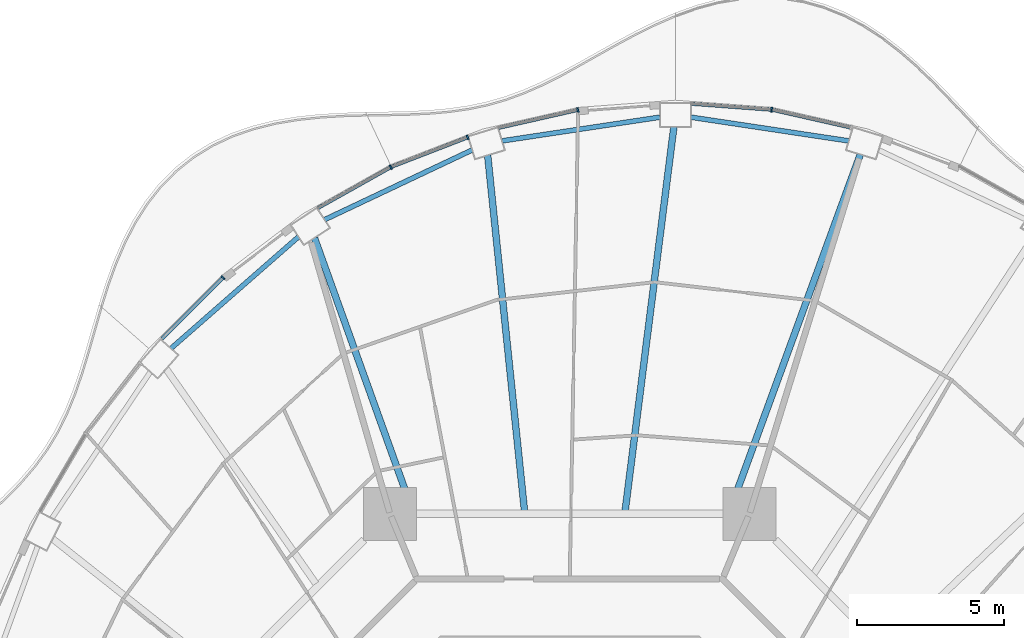
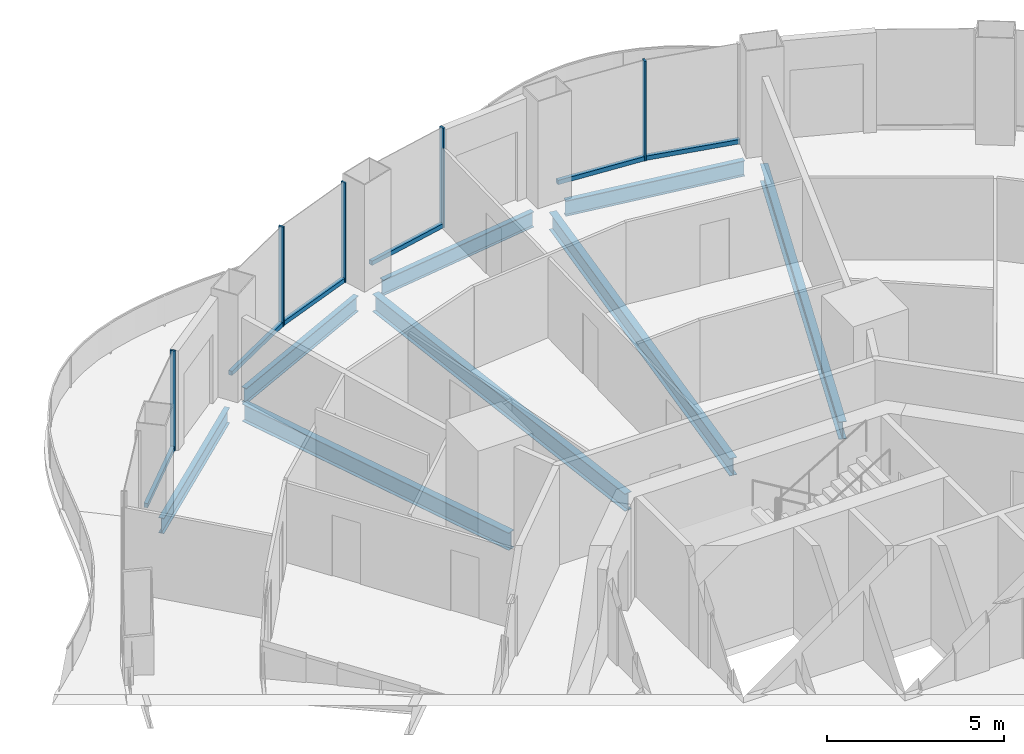
# One storey, part 7 of 19: 11 members, 8 beams, 6 elements without a shape of their own.
"""IFC4 building model written with IfcOpenShell, lengths in metres."""

import ifcopenshell
import ifcopenshell.guid

model = None  # the IFC model being written
_history = None  # IfcOwnerHistory: only IFC2X3 demands one
_inside = {}  # id of a spatial element -> (the spatial element, [elements in it])
_under = {}  # id of a project, library or spatial element -> (it, [spatial elements below it])
_declared = {}  # id of a project -> (the project, [libraries it declares])
_typed = {}  # id of a type object -> (the type object, [elements of that type])
_made_of = {}  # id of a material, layer set ... -> (it, [elements and type objects made of it])


def new_model(schema):
    """Start an empty IFC model of exactly this schema.

    Asked for "IFC4X3", IfcOpenShell would pick the latest addendum, in which some entities
    have other attributes; the version numbers below select the first issue.
    IFC2X3 requires an IfcOwnerHistory on every rooted entity: one is made here for all.
    """
    global model, _history
    if schema == "IFC4X3":
        model = ifcopenshell.file(schema_version=(4, 3, 0, 0))
    else:
        model = ifcopenshell.file(schema=schema)
    _inside.clear()
    _under.clear()
    _declared.clear()
    _typed.clear()
    _made_of.clear()
    _history = None
    if model.schema == "IFC2X3":
        org = make("IfcOrganization", Name="unknown")
        user = make(
            "IfcPersonAndOrganization",
            ThePerson=make("IfcPerson", FamilyName="unknown"),
            TheOrganization=org,
        )
        app = make(
            "IfcApplication",
            ApplicationDeveloper=org,
            Version="unknown",
            ApplicationFullName="unknown",
            ApplicationIdentifier="unknown",
        )
        _history = make(
            "IfcOwnerHistory",
            OwningUser=user,
            OwningApplication=app,
            ChangeAction="ADDED",
            CreationDate=0,
        )
    return model


def make(cls, **values):
    """One entity of the class cls with the attributes given. An attribute that is None is left unset."""
    return model.create_entity(
        cls, **{name: value for name, value in values.items() if value is not None}
    )


def rooted(cls, **values):
    """An entity with a GlobalId (a new one), such as an element, a storey or a relation."""
    return make(cls, GlobalId=ifcopenshell.guid.new(), OwnerHistory=_history, **values)


def si_unit(unit_type, name, prefix=None):
    """IfcSIUnit, for example si_unit("LENGTHUNIT", "METRE", prefix="MILLI")."""
    return make("IfcSIUnit", UnitType=unit_type, Prefix=prefix, Name=name)


def assignment(units):
    """IfcUnitAssignment: the units of a project."""
    return None if units is None else make("IfcUnitAssignment", Units=units)


def point(xyz):
    """IfcCartesianPoint."""
    return None if xyz is None else make("IfcCartesianPoint", Coordinates=xyz)


def direction(xyz):
    """IfcDirection."""
    return None if xyz is None else make("IfcDirection", DirectionRatios=xyz)


def frame(location, z_axis=None, x_axis=None):
    """IfcAxis2Placement3D, a coordinate frame: its origin and axes. An axis left out is left unset."""
    return make(
        "IfcAxis2Placement3D",
        Location=point(location),
        Axis=direction(z_axis),
        RefDirection=direction(x_axis),
    )


def frame_2d(location, x_axis=None):
    """IfcAxis2Placement2D, a coordinate frame in the plane: its origin and x axis."""
    return make(
        "IfcAxis2Placement2D", Location=point(location), RefDirection=direction(x_axis)
    )


def origin():
    """The frame at (0, 0, 0) with its axes left unset."""
    return frame((0.0, 0.0, 0.0))


def origin_2d():
    """The frame at (0, 0) in the plane with its x axis left unset."""
    return frame_2d((0.0, 0.0))


def place(relative_to, where):
    """IfcLocalPlacement: puts the frame where relative to a parent placement (None: the world)."""
    return make(
        "IfcLocalPlacement", PlacementRelTo=relative_to, RelativePlacement=where
    )


def context(
    kind, dimensions, precision=None, world=None, true_north=None, identifier=None
):
    """IfcGeometricRepresentationContext, for example the 3D "Model" context."""
    return make(
        "IfcGeometricRepresentationContext",
        ContextIdentifier=identifier,
        ContextType=kind,
        CoordinateSpaceDimension=dimensions,
        Precision=precision,
        WorldCoordinateSystem=world,
        TrueNorth=true_north,
    )


def subcontext(parent, identifier, kind, view, scale=None):
    """IfcGeometricRepresentationSubContext, for example "Body" below "Model"."""
    return make(
        "IfcGeometricRepresentationSubContext",
        ContextIdentifier=identifier,
        ContextType=kind,
        ParentContext=parent,
        TargetScale=scale,
        TargetView=view,
    )


def project(units=None, contexts=None):
    """IfcProject with its units and contexts."""
    return rooted(
        "IfcProject",
        Name="project",
        RepresentationContexts=contexts,
        UnitsInContext=assignment(units),
    )


def spatial(cls, under=None, at=None, **own):
    """A site, building, storey or space (cls), placed at a placement, below another one or the project."""
    s = rooted(cls, ObjectPlacement=at, **own)
    if under is not None:
        _under.setdefault(under.id(), (under, []))[1].append(s)
    return s


def profile(cls, at=None, kind="AREA", **sizes):
    """A parametric profile (cls). Its sizes go by their IFC names, for example OverallWidth=200.0."""
    return make(cls, ProfileType=kind, Position=at, **sizes)


def rectangle(**sizes):
    """IfcRectangleProfileDef."""
    return profile("IfcRectangleProfileDef", **sizes)


def i_section(**sizes):
    """IfcIShapeProfileDef."""
    return profile("IfcIShapeProfileDef", **sizes)


def extrude(swept, where, along, depth):
    """IfcExtrudedAreaSolid: the profile swept, set in the frame where, extruded along a direction by depth."""
    return make(
        "IfcExtrudedAreaSolid",
        SweptArea=swept,
        Position=where,
        ExtrudedDirection=direction(along),
        Depth=depth,
    )


def shape(context_of_items, identifier, shape_type, items):
    """IfcShapeRepresentation: the items that make up one representation, for example the "Body"."""
    return make(
        "IfcShapeRepresentation",
        ContextOfItems=context_of_items,
        RepresentationIdentifier=identifier,
        RepresentationType=shape_type,
        Items=items,
    )


def material(Name=None, Category=None):
    """IfcMaterial."""
    return make("IfcMaterial", Name=Name, Category=Category)


def layer(
    of_material, thickness, ventilated=None, Name=None, Category=None, Priority=None
):
    """IfcMaterialLayer: one layer of a wall or slab, of a material (None: an air gap)."""
    return make(
        "IfcMaterialLayer",
        Material=of_material,
        LayerThickness=thickness,
        IsVentilated=ventilated,
        Name=Name,
        Category=Category,
        Priority=Priority,
    )


def layer_set(layers, Name=None):
    """IfcMaterialLayerSet."""
    return make("IfcMaterialLayerSet", MaterialLayers=layers, LayerSetName=Name)


def material_profile(
    of_material, cross_section, Name=None, Category=None, Priority=None
):
    """IfcMaterialProfile: a cross section and its material."""
    return make(
        "IfcMaterialProfile",
        Name=Name,
        Material=of_material,
        Profile=cross_section,
        Priority=Priority,
        Category=Category,
    )


def profile_set(profiles, Name=None, composite=None):
    """IfcMaterialProfileSet."""
    return make(
        "IfcMaterialProfileSet",
        Name=Name,
        MaterialProfiles=profiles,
        CompositeProfile=composite,
    )


def made_of(thing, what):
    """Note that an element or type object is made of a material, layer set ...; save() writes the relation."""
    if what is not None:
        _made_of.setdefault(what.id(), (what, []))[1].append(thing)
    return thing


def type_object(cls, material=None, **own):
    """A type object (cls), such as IfcWallType, which elements share."""
    return made_of(rooted(cls, **own), material)


def element(
    cls,
    number,
    at=None,
    inside=None,
    cuts=None,
    type_object=None,
    material=None,
    context=None,
    identifier="Body",
    shape_type=None,
    held_by="IfcProductDefinitionShape",
    body=None,
    shapes=None,
    **own,
):
    """One element of the class cls, such as IfcWall. Its Tag is "e" and its number.

    at: its placement. inside: the storey or other place that contains it. cuts: it is an
    opening in that element (IfcRelVoidsElement). A single representation is given by context,
    identifier, shape_type and body (its items); several are given by shapes. held_by: the class
    of the entity that holds the representations. save() writes the other relations.
    """
    e = rooted(cls, Tag="e%d" % number, ObjectPlacement=at, **own)
    if body is not None:
        shapes = [shape(context, identifier, shape_type, body)]
    if shapes is not None:
        e.Representation = make(held_by, Representations=shapes)
    if inside is not None:
        _inside.setdefault(inside.id(), (inside, []))[1].append(e)
    if cuts is not None:
        rooted(
            "IfcRelVoidsElement", RelatingBuildingElement=cuts, RelatedOpeningElement=e
        )
    if type_object is not None:
        _typed.setdefault(type_object.id(), (type_object, []))[1].append(e)
    return made_of(e, material)


def aggregate(whole, parts):
    """IfcRelAggregates: a whole, such as a stair, and the parts it consists of."""
    return rooted("IfcRelAggregates", RelatingObject=whole, RelatedObjects=parts)


def save(model, path):
    """Write the relations noted so far, then the file.

    IfcRelAggregates (storeys below a building ...), IfcRelContainedInSpatialStructure (elements
    in a storey), IfcRelDefinesByType, IfcRelAssociatesMaterial and IfcRelDeclares: one each for
    every whole, place, type object, material and project.
    """
    for whole, parts in _under.values():
        aggregate(whole, parts)
    for where, things in _inside.values():
        rooted(
            "IfcRelContainedInSpatialStructure",
            RelatedElements=things,
            RelatingStructure=where,
        )
    for kind, things in _typed.values():
        rooted("IfcRelDefinesByType", RelatedObjects=things, RelatingType=kind)
    for what, things in _made_of.values():
        rooted("IfcRelAssociatesMaterial", RelatedObjects=things, RelatingMaterial=what)
    for by, libraries in _declared.values():
        rooted("IfcRelDeclares", RelatingContext=by, RelatedDefinitions=libraries)
    model.write(path)


model = new_model("IFC4")

# Units and contexts
model_context = context("Model", 3, precision=1e-05, world=origin(), true_north=direction((0.0, 1.0)))
body_context = subcontext(model_context, "Body", "Model", "MODEL_VIEW")
ifc_project = project(units=[si_unit("LENGTHUNIT", "METRE"), si_unit("AREAUNIT", "SQUARE_METRE"), si_unit("VOLUMEUNIT", "CUBIC_METRE"), si_unit("PLANEANGLEUNIT", "RADIAN"), si_unit("MASSUNIT", "GRAM", prefix="KILO")], contexts=[model_context])

# Site, building, storey
site_placement = place(None, origin())
site = spatial("IfcSite", under=ifc_project, at=site_placement, CompositionType="ELEMENT")
building_placement = place(site_placement, origin())
building = spatial("IfcBuilding", under=site, at=building_placement, Name="Nagisa Residences", CompositionType="ELEMENT")
storey_placement = place(building_placement, frame((0.0, 0.0, 184.39990234375)))
storey = spatial("IfcBuildingStorey", under=building, at=storey_placement, Name="L46", CompositionType="ELEMENT", Elevation=184.39990234375)

# Curtain wall, member
ifc_material_1 = material(Name="Concrete-coloured aluminium curtain wall system", Category="concrete")
ifc_layer = layer(ifc_material_1, 0.159912109375)
ifc_layer_set = layer_set([ifc_layer], Name="CW1 CURTAIN WALL")
curtain_wall_type = type_object("IfcCurtainWallType", Name="CW1 CURTAIN WALL", PredefinedType="NOTDEFINED", material=ifc_layer_set)
curtain_wall_1_placement = place(storey_placement, origin())
curtain_wall_1 = element("IfcCurtainWall", 1, at=curtain_wall_1_placement, inside=storey, type_object=curtain_wall_type, Name="cw:CW1:L46:11", PredefinedType="NOTDEFINED")
ifc_material_2 = material(Name="Concrete-coloured aluminium", Category="concrete")
ifc_material_profile_1 = material_profile(ifc_material_2, rectangle(XDim=0.159912109375, YDim=0.06005859375, at=origin_2d()), Name="CW1 MULLION 160x60")
ifc_profile_set_1 = profile_set([ifc_material_profile_1], Name="Concrete-coloured aluminium")
member_type_1 = type_object("IfcMemberType", Name="CW1 MULLION 160x60", PredefinedType="MULLION", material=ifc_profile_set_1)
member_1_placement = place(storey_placement, frame((6.876220703125, 28.550537109375, 0.0), z_axis=(0.0, 0.0, 1.0), x_axis=(-0.074377355493, -0.997230168512, 0.0)))
member_1 = element("IfcMember", 2, at=member_1_placement, type_object=member_type_1, Name="CW1 mullion", PredefinedType="MULLION", context=body_context, shape_type="SweptSolid", body=[
    extrude(rectangle(XDim=0.159912109375, YDim=0.06005859375, at=origin_2d()), origin(), (0.0, 0.0, 1.0), 3.440185546875),
])

curtain_wall_2_placement = place(storey_placement, origin())
curtain_wall_2 = element("IfcCurtainWall", 3, at=curtain_wall_2_placement, inside=storey, type_object=curtain_wall_type, Name="cw:CW1:L46:13", PredefinedType="NOTDEFINED")
member_2_placement = place(storey_placement, frame((0.2763671875, 28.543212890625, 0.0), z_axis=(0.0, 0.0, 1.0), x_axis=(0.2207639201, -0.975327274089, 0.0)))
member_2 = element("IfcMember", 4, at=member_2_placement, type_object=member_type_1, Name="CW1 mullion", PredefinedType="MULLION", context=body_context, shape_type="SweptSolid", body=[
    extrude(rectangle(XDim=0.159912109375, YDim=0.06005859375, at=origin_2d()), origin(), (0.0, 0.0, 1.0), 3.440185546875),
])

curtain_wall_3_placement = place(storey_placement, origin())
curtain_wall_3 = element("IfcCurtainWall", 5, at=curtain_wall_3_placement, inside=storey, type_object=curtain_wall_type, Name="cw:CW1:L46:14", PredefinedType="NOTDEFINED")
member_3_placement = place(storey_placement, frame((-3.479736328125, 27.607421875, 0.0), z_axis=(0.0, 0.0, 1.0), x_axis=(0.360327770268, -0.932825759707, 0.0)))
member_3 = element("IfcMember", 6, at=member_3_placement, type_object=member_type_1, Name="CW1 mullion", PredefinedType="MULLION", context=body_context, shape_type="SweptSolid", body=[
    extrude(rectangle(XDim=0.159912109375, YDim=0.06005859375, at=origin_2d()), origin(), (0.0, 0.0, 1.0), 3.440185546875),
])

curtain_wall_4_placement = place(storey_placement, origin())
curtain_wall_4 = element("IfcCurtainWall", 7, at=curtain_wall_4_placement, inside=storey, type_object=curtain_wall_type, Name="cw:CW1:L46:15", PredefinedType="NOTDEFINED")
member_4_placement = place(storey_placement, frame((-6.09765625, 26.592529296875, 0.0), z_axis=(0.0, 0.0, 1.0), x_axis=(0.489376918501, -0.872072377523, 0.0)))
member_4 = element("IfcMember", 8, at=member_4_placement, type_object=member_type_1, Name="CW1 mullion", PredefinedType="MULLION", context=body_context, shape_type="SweptSolid", body=[
    extrude(rectangle(XDim=0.159912109375, YDim=0.06005859375, at=origin_2d()), origin(), (0.0, 0.0, 1.0), 3.440185546875),
])

curtain_wall_5_placement = place(storey_placement, origin())
curtain_wall_5 = element("IfcCurtainWall", 9, at=curtain_wall_5_placement, inside=storey, type_object=curtain_wall_type, Name="cw:CW1:L46:17", PredefinedType="NOTDEFINED")
member_5_placement = place(storey_placement, frame((-11.81201171875, 22.830322265625, 0.0), z_axis=(0.0, 0.0, 1.0), x_axis=(0.706376885714, -0.707835924016, 0.0)))
member_5 = element("IfcMember", 10, at=member_5_placement, type_object=member_type_1, Name="CW1 mullion", PredefinedType="MULLION", context=body_context, shape_type="SweptSolid", body=[
    extrude(rectangle(XDim=0.159912109375, YDim=0.06005859375, at=origin_2d()), origin(), (0.0, 0.0, 1.0), 3.440185546875),
])

curtain_wall_6_placement = place(storey_placement, origin())
curtain_wall_6 = element("IfcCurtainWall", 11, at=curtain_wall_6_placement, inside=storey, type_object=curtain_wall_type, Name="cw:CW1:L46:10", PredefinedType="NOTDEFINED")
ifc_material_3 = material(Name="Concrete-coloured aluminium", Category="concrete")
ifc_material_profile_2 = material_profile(ifc_material_3, rectangle(XDim=0.1201171875, YDim=0.14990234375, at=origin_2d()), Name="CW1 TRANSOM 120x150")
ifc_profile_set_2 = profile_set([ifc_material_profile_2], Name="Concrete-coloured aluminium")
member_type_2 = type_object("IfcMemberType", Name="CW1 TRANSOM 120x150", PredefinedType="USERDEFINED", material=ifc_profile_set_2)
member_6_placement = place(storey_placement, frame((9.613525390625, 27.9345703125, 0.0751953125), z_axis=(-0.975324329911, 0.220776926974, 0.0), x_axis=(-0.220776926974, -0.975324329911, 0.0)))
member_6 = element("IfcMember", 12, at=member_6_placement, type_object=member_type_2, Name="CW1 transom", ObjectType="TRANSOM", PredefinedType="USERDEFINED", context=body_context, shape_type="SweptSolid", body=[
    extrude(rectangle(XDim=0.1201171875, YDim=0.14990234375, at=origin_2d()), origin(), (0.0, 0.0, 1.0), 2.787841796875),
])
aggregate(curtain_wall_6, [member_6])

# Member
member_7_placement = place(storey_placement, frame((6.90625, 28.548095703125, 0.0751953125), z_axis=(-0.997225528735, 0.074439538143, 0.0), x_axis=(-0.074439538143, -0.997225528735, 0.0)))
member_7 = element("IfcMember", 13, at=member_7_placement, type_object=member_type_2, Name="CW1 transom", ObjectType="TRANSOM", PredefinedType="USERDEFINED", context=body_context, shape_type="SweptSolid", body=[
    extrude(rectangle(XDim=0.1201171875, YDim=0.14990234375, at=origin_2d()), origin(), (0.0, 0.0, 1.0), 2.771240234375),
])

aggregate(curtain_wall_1, [member_1, member_7])

member_8_placement = place(storey_placement, frame((0.3056640625, 28.550048828125, 0.0751953125), z_axis=(-0.975324329911, -0.220776926974, 0.0), x_axis=(0.220776926974, -0.975324329911, 0.0)))
member_8 = element("IfcMember", 14, at=member_8_placement, type_object=member_type_2, Name="CW1 transom", ObjectType="TRANSOM", PredefinedType="USERDEFINED", context=body_context, shape_type="SweptSolid", body=[
    extrude(rectangle(XDim=0.1201171875, YDim=0.14990234375, at=origin_2d()), origin(), (0.0, 0.0, 1.0), 2.787841796875),
])

aggregate(curtain_wall_2, [member_2, member_8])

member_9_placement = place(storey_placement, frame((-3.45166015625, 27.618408203125, 0.0751953125), z_axis=(-0.932806734513, -0.360377019311, 0.0), x_axis=(0.360377019311, -0.932806734513, 0.0)))
member_9 = element("IfcMember", 15, at=member_9_placement, type_object=member_type_2, Name="CW1 transom", ObjectType="TRANSOM", PredefinedType="USERDEFINED", context=body_context, shape_type="SweptSolid", body=[
    extrude(rectangle(XDim=0.1201171875, YDim=0.14990234375, at=origin_2d()), origin(), (0.0, 0.0, 1.0), 2.819580078125),
])

aggregate(curtain_wall_3, [member_3, member_9])

member_10_placement = place(storey_placement, frame((-6.071533203125, 26.607177734375, 0.0751953125), z_axis=(-0.872057843239, -0.489402817774, 0.0), x_axis=(0.489402817774, -0.872057843239, 0.0)))
member_10 = element("IfcMember", 16, at=member_10_placement, type_object=member_type_2, Name="CW1 transom", ObjectType="TRANSOM", PredefinedType="USERDEFINED", context=body_context, shape_type="SweptSolid", body=[
    extrude(rectangle(XDim=0.1201171875, YDim=0.14990234375, at=origin_2d()), origin(), (0.0, 0.0, 1.0), 2.863525390625),
])

aggregate(curtain_wall_4, [member_4, member_10])

member_11_placement = place(storey_placement, frame((-11.790771484375, 22.8515625, 0.0751953125), z_axis=(-0.707803821372, -0.706409053206, 0.0), x_axis=(0.706409053206, -0.707803821372, 0.0)))
member_11 = element("IfcMember", 17, at=member_11_placement, type_object=member_type_2, Name="CW1 transom", ObjectType="TRANSOM", PredefinedType="USERDEFINED", context=body_context, shape_type="SweptSolid", body=[
    extrude(rectangle(XDim=0.1201171875, YDim=0.14990234375, at=origin_2d()), origin(), (0.0, 0.0, 1.0), 2.9755859375),
])

aggregate(curtain_wall_5, [member_5, member_11])

# Beams
ifc_material_4 = material(Name="Steel ASTM A572 Gr 50", Category="steel")
ifc_material_profile_3 = material_profile(ifc_material_4, i_section(OverallWidth=0.166015625, OverallDepth=0.534912109375, WebThickness=0.01025390625, FlangeThickness=0.0166015625, at=origin_2d()), Name="W530x85")
ifc_profile_set_3 = profile_set([ifc_material_profile_3], Name="Steel ASTM A572 Gr 50")
beam_type_1 = type_object("IfcBeamType", Name="Perimeter ring beam W530x85", PredefinedType="BEAM", material=ifc_profile_set_3)
for number, where, z_axis, x_axis, name in (
    (18, (9.508056640625, 27.48779296875, -0.52734375), (-0.988911312658, 0.148507291732, 0.0), (-0.148507291732, -0.988911312658, 0.0), "beam:L46:pb06"),
    (19, (3.06982421875, 28.29541015625, -0.52734375), (-0.988911312658, -0.148507291732, 0.0), (0.148507291732, -0.988911312658, 0.0), "beam:L46:pb07"),
):
    element("IfcBeam", number, at=place(storey_placement, frame(where, z_axis=z_axis, x_axis=x_axis)), inside=storey, type_object=beam_type_1, Name=name, PredefinedType="BEAM", context=body_context, shape_type="SweptSolid", body=[
        extrude(i_section(OverallWidth=0.166015625, OverallDepth=0.534912109375, WebThickness=0.01025390625, FlangeThickness=0.0166015625, at=origin_2d()), origin(), (0.0, 0.0, 1.0), 5.438232421875),
    ])
beam_1_placement = place(storey_placement, frame((-3.32275390625, 27.17919921875, -0.52734375), z_axis=(-0.904157325884, -0.427199637232, 0.0), x_axis=(0.427199637232, -0.904157325884, 0.0)))
element("IfcBeam", 20, at=beam_1_placement, inside=storey, type_object=beam_type_1, Name="beam:L46:pb08", PredefinedType="BEAM", context=body_context, shape_type="SweptSolid", body=[
    extrude(i_section(OverallWidth=0.166015625, OverallDepth=0.534912109375, WebThickness=0.01025390625, FlangeThickness=0.0166015625, at=origin_2d()), origin(), (0.0, 0.0, 1.0), 5.56396484375),
])
beam_2_placement = place(storey_placement, frame((-9.240234375, 24.220947265625, -0.52734375), z_axis=(-0.752461486776, -0.658636250838, 0.0), x_axis=(0.658636250838, -0.752461486776, 0.0)))
element("IfcBeam", 21, at=beam_2_placement, inside=storey, type_object=beam_type_1, Name="beam:L46:pb09", PredefinedType="BEAM", context=body_context, shape_type="SweptSolid", body=[
    extrude(i_section(OverallWidth=0.166015625, OverallDepth=0.534912109375, WebThickness=0.01025390625, FlangeThickness=0.0166015625, at=origin_2d()), origin(), (0.0, 0.0, 1.0), 5.776611328125),
])
ifc_material_5 = material(Name="Steel ASTM A572 Gr 50", Category="steel")
ifc_material_profile_4 = material_profile(ifc_material_5, i_section(OverallWidth=0.22802734375, OverallDepth=0.60302734375, WebThickness=0.010498046875, FlangeThickness=0.014892578125, at=origin_2d()), Name="W610x101")
ifc_profile_set_4 = profile_set([ifc_material_profile_4], Name="Steel ASTM A572 Gr 50")
beam_type_2 = type_object("IfcBeamType", Name="Radial beam W610x101", PredefinedType="BEAM", material=ifc_profile_set_4)
beam_3_placement = place(storey_placement, frame((9.898681640625, 27.02734375, -0.5615234375), z_axis=(-0.343903309659, -0.939005065804, 0.0), x_axis=(0.939005065804, -0.343903309659, 0.0)))
element("IfcBeam", 22, at=beam_3_placement, inside=storey, type_object=beam_type_2, Name="beam:L46:rb06", PredefinedType="BEAM", context=body_context, shape_type="SweptSolid", body=[
    extrude(i_section(OverallWidth=0.22802734375, OverallDepth=0.60302734375, WebThickness=0.010498046875, FlangeThickness=0.014892578125, at=origin_2d()), origin(), (0.0, 0.0, 1.0), 12.92529296875),
])
beam_4_placement = place(storey_placement, frame((3.548583984375, 27.9697265625, -0.5615234375), z_axis=(-0.125871302495, -0.992046579153, 0.0), x_axis=(0.992046579153, -0.125871302495, 0.0)))
element("IfcBeam", 23, at=beam_4_placement, inside=storey, type_object=beam_type_2, Name="beam:L46:rb07", PredefinedType="BEAM", context=body_context, shape_type="SweptSolid", body=[
    extrude(i_section(OverallWidth=0.22802734375, OverallDepth=0.60302734375, WebThickness=0.010498046875, FlangeThickness=0.014892578125, at=origin_2d()), origin(), (0.0, 0.0, 1.0), 13.185546875),
])
beam_5_placement = place(storey_placement, frame((-2.795654296875, 26.997314453125, -0.5615234375), z_axis=(0.103007948723, -0.994680532885, 0.0), x_axis=(0.994680532885, 0.103007948723, 0.0)))
element("IfcBeam", 24, at=beam_5_placement, inside=storey, type_object=beam_type_2, Name="beam:L46:rb08", PredefinedType="BEAM", context=body_context, shape_type="SweptSolid", body=[
    extrude(i_section(OverallWidth=0.22802734375, OverallDepth=0.60302734375, WebThickness=0.010498046875, FlangeThickness=0.014892578125, at=origin_2d()), origin(), (0.0, 0.0, 1.0), 12.1728515625),
])
beam_6_placement = place(storey_placement, frame((-8.6962890625, 24.180908203125, -0.5615234375), z_axis=(0.338417364879, -0.940996114311, 0.0), x_axis=(0.940996114311, 0.338417364879, 0.0)))
element("IfcBeam", 25, at=beam_6_placement, inside=storey, type_object=beam_type_2, Name="beam:L46:rb09", PredefinedType="BEAM", context=body_context, shape_type="SweptSolid", body=[
    extrude(i_section(OverallWidth=0.22802734375, OverallDepth=0.60302734375, WebThickness=0.010498046875, FlangeThickness=0.014892578125, at=origin_2d()), origin(), (0.0, 0.0, 1.0), 9.873291015625),
])

save(model, "model.ifc")
